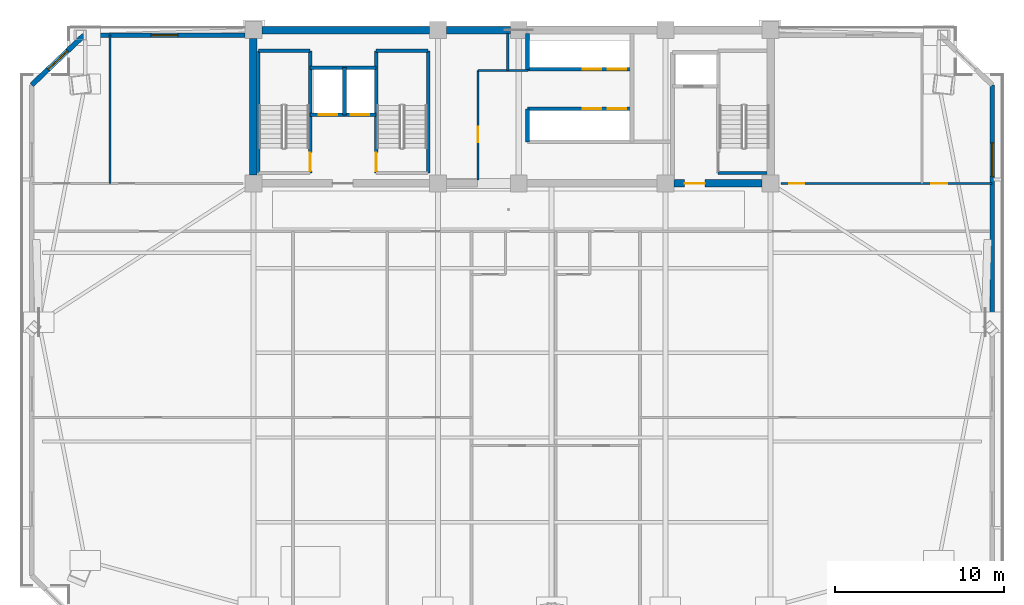
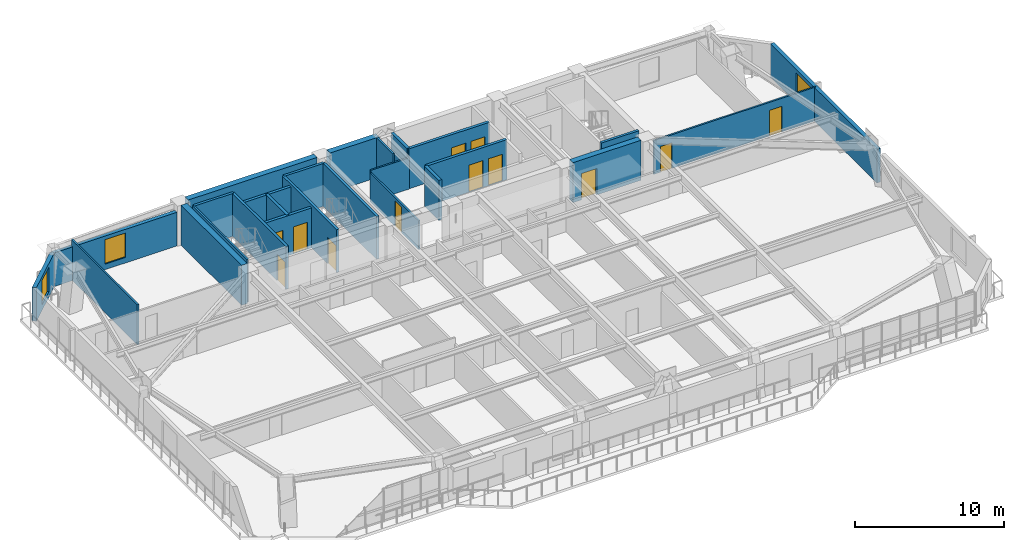
# One storey, part 9 of 16: 26 walls, 12 doors, 3 windows, 15 openings.
"""IFC4 building model written with IfcOpenShell, lengths in metres."""

from ifc_helpers import new_model, si_unit, direction, frame, frame_2d, origin, place, context, subcontext, project, spatial, rectangle, extrude, source, transform, mapped, material, layer, layer_set, type_object, element, fill, save


model = new_model("IFC4")

# Units and contexts
model_context = context("Model", 3, precision=1e-05, world=origin(), true_north=direction((0.0, 1.0)))
body_context = subcontext(model_context, "Body", "Model", "MODEL_VIEW")
ifc_project = project(units=[si_unit("LENGTHUNIT", "METRE"), si_unit("AREAUNIT", "SQUARE_METRE"), si_unit("VOLUMEUNIT", "CUBIC_METRE"), si_unit("PLANEANGLEUNIT", "RADIAN"), si_unit("MASSUNIT", "GRAM", prefix="KILO")], contexts=[model_context])

# Site, building, storey
site_placement = place(None, origin())
site = spatial("IfcSite", under=ifc_project, at=site_placement, CompositionType="ELEMENT")
building_placement = place(site_placement, origin())
building = spatial("IfcBuilding", under=site, at=building_placement, Name="Giltprow Tower", CompositionType="ELEMENT")
storey_placement = place(building_placement, frame((0.0, 0.0, 209.699951171875)))
storey = spatial("IfcBuildingStorey", under=building, at=storey_placement, Name="L53", CompositionType="ELEMENT", Elevation=209.699951171875)

# Wall, opening, window
ifc_material_1 = material(Name="Precast concrete C40", Category="concrete")
ifc_layer_1 = layer(ifc_material_1, 0.300048828125, Name="Precast concrete C40")
ifc_layer_set_1 = layer_set([ifc_layer_1], Name="Precast concrete C40")
wall_type_1 = type_object("IfcWallType", Name="EW-NOTCH-CHAMFER-300", PredefinedType="SOLIDWALL", material=ifc_layer_set_1)
wall_1_placement = place(storey_placement, frame((9.802978515625, 46.25, 0.0), z_axis=(0.0, 0.0, 1.0), x_axis=(-0.724432277522, -0.689345976476, 0.0)))
wall_1 = element("IfcWall", 1, at=wall_1_placement, inside=storey, type_object=wall_type_1, Name="L53 Corner Notch Wall NW", PredefinedType="SOLIDWALL", context=body_context, shape_type="SweptSolid", body=[
    extrude(rectangle(XDim=4.279296875, YDim=0.300048828125, at=frame_2d((2.1396484375, 0.0))), origin(), (0.0, 0.0, 1.0), 2.75),
])
opening_1_placement = place(wall_1_placement, frame((1.340087890625, 0.0, 0.449951171875)))
opening_1 = element("IfcOpeningElement", 2, at=opening_1_placement, cuts=wall_1, Name="Opening WN17", PredefinedType="OPENING", context=body_context, shape_type="SweptSolid", body=[
    extrude(rectangle(XDim=1.60009765625, YDim=2.0, at=frame_2d((0.800048828125, 1.0))), frame((0.0, 0.159912109375, 0.0), z_axis=(0.0, -1.0, 0.0), x_axis=(1.0, 0.0, 0.0)), (0.0, 0.0, 1.0), 0.320068359375),
])
ifc_material_2 = material(Name="Insulated glass", Category="glass")
window_type_1 = type_object("IfcWindowType", Name="WN-COR-1600x2000", PartitioningType="SINGLE_PANEL", PredefinedType="WINDOW", material=ifc_material_2)
shared_shape_1 = source(origin(), body_context, "Body", "SweptSolid", [
    extrude(rectangle(XDim=1.60009765625, YDim=2.0, at=frame_2d((0.800048828125, 1.0))), frame((0.0, 0.030029296875, 0.0), z_axis=(0.0, -1.0, 0.0), x_axis=(1.0, 0.0, 0.0)), (0.0, 0.0, 1.0), 0.06005859375),
])
window_1_placement = place(opening_1_placement, origin())
window_1 = element("IfcWindow", 3, at=window_1_placement, inside=storey, type_object=window_type_1, Name="L53 Corner Notch Window NW", OverallHeight=2.0, OverallWidth=1.60009765625, PartitioningType="SINGLE_PANEL", PredefinedType="WINDOW", context=body_context, shape_type="MappedRepresentation", body=[
    mapped(shared_shape_1, transform((0.0, 0.0, 0.0), x_axis=(1.0, 0.0, 0.0), y_axis=(0.0, 1.0, 0.0), z_axis=(0.0, 0.0, 1.0), scale=1.0)),
])
fill(opening_1, window_1)

ifc_layer_2 = layer(ifc_material_1, 0.280029296875, Name="Precast concrete C40")
ifc_layer_set_2 = layer_set([ifc_layer_2], Name="Precast concrete C40")
wall_type_2 = type_object("IfcWallType", Name="EW-TOW-BRONZE-280", PredefinedType="SOLIDWALL", material=ifc_layer_set_2)
wall_2_placement = place(storey_placement, frame((63.697998046875, 29.04296875, 0.0), z_axis=(0.0, 0.0, 1.0), x_axis=(0.0, 1.0, 0.0)))
wall_2 = element("IfcWall", 4, at=wall_2_placement, inside=storey, type_object=wall_type_2, Name="L53 E Wing Masonry Wall 2", PredefinedType="SOLIDWALL", context=body_context, shape_type="SweptSolid", body=[
    extrude(rectangle(XDim=14.257080078125, YDim=0.280029296875, at=frame_2d((7.12841796875, 0.0))), origin(), (0.0, 0.0, 1.0), 2.75),
])
opening_2_placement = place(wall_2_placement, frame((8.81201171875, 0.0, 0.449951171875)))
opening_2 = element("IfcOpeningElement", 5, at=opening_2_placement, cuts=wall_2, Name="Opening WN21", PredefinedType="OPENING", context=body_context, shape_type="SweptSolid", body=[
    extrude(rectangle(XDim=2.0, YDim=2.0, at=frame_2d((1.0, 1.0))), frame((0.0, 0.14990234375, 0.0), z_axis=(0.0, -1.0, 0.0), x_axis=(1.0, 0.0, 0.0)), (0.0, 0.0, 1.0), 0.300048828125),
])
window_type_2 = type_object("IfcWindowType", Name="WN-HTL-2000x2000", PartitioningType="DOUBLE_PANEL_VERTICAL", PredefinedType="WINDOW", material=ifc_material_2)
shared_shape_2 = source(origin(), body_context, "Body", "SweptSolid", [
    extrude(rectangle(XDim=2.0, YDim=2.0, at=frame_2d((1.0, 1.0))), frame((0.0, 0.030029296875, 0.0), z_axis=(0.0, -1.0, 0.0), x_axis=(1.0, 0.0, 0.0)), (0.0, 0.0, 1.0), 0.06005859375),
])
window_2_placement = place(opening_2_placement, origin())
window_2 = element("IfcWindow", 6, at=window_2_placement, inside=storey, type_object=window_type_2, Name="L53 E Wing Window 2-1", OverallHeight=2.0, OverallWidth=2.0, PartitioningType="SINGLE_PANEL", PredefinedType="WINDOW", context=body_context, shape_type="MappedRepresentation", body=[
    mapped(shared_shape_2, transform((0.0, 0.0, 0.0), x_axis=(1.0, 0.0, 0.0), y_axis=(0.0, 1.0, 0.0), z_axis=(0.0, 0.0, 1.0), scale=1.0)),
])
fill(opening_2, window_2)

wall_3_placement = place(storey_placement, frame((9.802978515625, 46.25, 0.0), z_axis=(0.0, 0.0, 1.0), x_axis=(1.0, 0.0, 0.0)))
wall_3 = element("IfcWall", 7, at=wall_3_placement, inside=storey, type_object=wall_type_2, Name="L53 North-West Wing Wall", PredefinedType="SOLIDWALL", context=body_context, shape_type="SweptSolid", body=[
    extrude(rectangle(XDim=9.547119140625, YDim=0.280029296875, at=frame_2d((4.7734375, 0.0))), origin(), (0.0, 0.0, 1.0), 2.75),
])
opening_3_placement = place(wall_3_placement, frame((3.97412109375, 0.0, 0.449951171875)))
opening_3 = element("IfcOpeningElement", 8, at=opening_3_placement, cuts=wall_3, Name="Opening WN17", PredefinedType="OPENING", context=body_context, shape_type="SweptSolid", body=[
    extrude(rectangle(XDim=1.60009765625, YDim=2.0, at=frame_2d((0.800048828125, 1.0))), frame((0.0, 0.14990234375, 0.0), z_axis=(0.0, -1.0, 0.0), x_axis=(1.0, 0.0, 0.0)), (0.0, 0.0, 1.0), 0.300048828125),
])
window_3_placement = place(opening_3_placement, origin())
window_3 = element("IfcWindow", 9, at=window_3_placement, inside=storey, type_object=window_type_1, Name="L53 North-West Window", OverallHeight=2.0, OverallWidth=1.60009765625, PartitioningType="SINGLE_PANEL", PredefinedType="WINDOW", context=body_context, shape_type="MappedRepresentation", body=[
    mapped(shared_shape_1, transform((0.0, 0.0, 0.0), x_axis=(1.0, 0.0, 0.0), y_axis=(0.0, 1.0, 0.0), z_axis=(0.0, 0.0, 1.0), scale=1.0)),
])
fill(opening_3, window_3)

# Wall, openings, doors
ifc_material_3 = material(Name="Concrete C40", Category="concrete")
ifc_layer_3 = layer(ifc_material_3, 0.219970703125, Name="Concrete C40")
ifc_layer_set_3 = layer_set([ifc_layer_3], Name="Concrete C40")
wall_type_3 = type_object("IfcWallType", Name="IW-SHAFT-220", PredefinedType="SOLIDWALL", material=ifc_layer_set_3)
wall_4_placement = place(storey_placement, frame((23.219970703125, 41.52001953125, 0.0), z_axis=(0.0, 0.0, 1.0), x_axis=(1.0, 0.0, 0.0)))
wall_4 = element("IfcWall", 10, at=wall_4_placement, inside=storey, type_object=wall_type_3, Name="L53 FFL1 and Service Lift Front Wall", PredefinedType="SOLIDWALL", context=body_context, shape_type="SweptSolid", body=[
    extrude(rectangle(XDim=3.919921875, YDim=0.219970703125, at=frame_2d((1.9599609375, 0.0))), origin(), (0.0, 0.0, 1.0), 3.27001953125),
])
opening_4_placement = place(wall_4_placement, frame((0.5, 0.0, 0.0)))
opening_4 = element("IfcOpeningElement", 11, at=opening_4_placement, cuts=wall_4, Name="Opening LD-11", PredefinedType="OPENING", context=body_context, shape_type="SweptSolid", body=[
    extrude(rectangle(XDim=1.10009765625, YDim=2.199951171875, at=frame_2d((0.550048828125, 1.10009765625))), frame((0.0, 0.119873046875, 0.0), z_axis=(0.0, -1.0, 0.0), x_axis=(1.0, 0.0, 0.0)), (0.0, 0.0, 1.0), 0.239990234375),
])
opening_5_placement = place(wall_4_placement, frame((2.39990234375, 0.0, 0.0)))
opening_5 = element("IfcOpeningElement", 12, at=opening_5_placement, cuts=wall_4, Name="Opening LD-11", PredefinedType="OPENING", context=body_context, shape_type="SweptSolid", body=[
    extrude(rectangle(XDim=1.10009765625, YDim=2.199951171875, at=frame_2d((0.550048828125, 1.10009765625))), frame((0.0, 0.119873046875, 0.0), z_axis=(0.0, -1.0, 0.0), x_axis=(1.0, 0.0, 0.0)), (0.0, 0.0, 1.0), 0.239990234375),
])
ifc_material_4 = material(Name="Stainless steel", Category="steel")
door_type_1 = type_object("IfcDoorType", Name="DR-LIFT-LD1100", OperationType="SLIDING_TO_LEFT", PredefinedType="DOOR", material=ifc_material_4)
shared_shape_3 = source(origin(), body_context, "Body", "SweptSolid", [
    extrude(rectangle(XDim=1.10009765625, YDim=2.199951171875, at=frame_2d((0.550048828125, 1.10009765625))), frame((0.0, 0.02490234375, 0.0), z_axis=(0.0, -1.0, 0.0), x_axis=(1.0, 0.0, 0.0)), (0.0, 0.0, 1.0), 0.050048828125),
])
door_1_placement = place(opening_4_placement, origin())
door_1 = element("IfcDoor", 13, at=door_1_placement, inside=storey, type_object=door_type_1, Name="L53 FFL1 Landing Door", OperationType="SLIDING_TO_LEFT", OverallHeight=2.199951171875, OverallWidth=1.10009765625, PredefinedType="DOOR", context=body_context, shape_type="MappedRepresentation", body=[
    mapped(shared_shape_3, transform((0.0, 0.0, 0.0), x_axis=(1.0, 0.0, 0.0), y_axis=(0.0, 1.0, 0.0), z_axis=(0.0, 0.0, 1.0), scale=1.0)),
])
fill(opening_4, door_1)
door_2_placement = place(opening_5_placement, origin())
door_2 = element("IfcDoor", 14, at=door_2_placement, inside=storey, type_object=door_type_1, Name="L53 SVL1 Landing Door", OperationType="SLIDING_TO_LEFT", OverallHeight=2.199951171875, OverallWidth=1.10009765625, PredefinedType="DOOR", context=body_context, shape_type="MappedRepresentation", body=[
    mapped(shared_shape_3, transform((0.0, 0.0, 0.0), x_axis=(1.0, 0.0, 0.0), y_axis=(0.0, 1.0, 0.0), z_axis=(0.0, 0.0, 1.0), scale=1.0)),
])
fill(opening_5, door_2)

# Walls
wall_5_placement = place(storey_placement, frame((25.260009765625, 41.52001953125, 0.0), z_axis=(0.0, 0.0, 1.0), x_axis=(0.0, 1.0, 0.0)))
element("IfcWall", 15, at=wall_5_placement, inside=storey, type_object=wall_type_3, Name="L53 FFL1-SVL1 Shaft Divider", PredefinedType="SOLIDWALL", context=body_context, shape_type="SweptSolid", body=[
    extrude(rectangle(XDim=2.800048828125, YDim=0.219970703125, at=frame_2d((1.39990234375, 0.0))), origin(), (0.0, 0.0, 1.0), 3.27001953125),
])
wall_6_placement = place(storey_placement, frame((23.219970703125, 44.320068359375, 0.0), z_axis=(0.0, 0.0, 1.0), x_axis=(1.0, 0.0, 0.0)))
element("IfcWall", 16, at=wall_6_placement, inside=storey, type_object=wall_type_3, Name="L53 FFL1-SVL1 Back Shaft Wall", PredefinedType="SOLIDWALL", context=body_context, shape_type="SweptSolid", body=[
    extrude(rectangle(XDim=3.919921875, YDim=0.219970703125, at=frame_2d((1.9599609375, 0.0))), origin(), (0.0, 0.0, 1.0), 3.27001953125),
])

# Wall, openings, doors
wall_7_placement = place(storey_placement, frame((36.1201171875, 44.219970703125, 0.0), z_axis=(0.0, 0.0, 1.0), x_axis=(1.0, 0.0, 0.0)))
wall_7 = element("IfcWall", 17, at=wall_7_placement, inside=storey, type_object=wall_type_3, Name="L53 Mid-Rise Lift Shaft Front Wall N", PredefinedType="SOLIDWALL", context=body_context, shape_type="SweptSolid", body=[
    extrude(rectangle(XDim=6.199951171875, YDim=0.219970703125, at=frame_2d((3.10009765625, 0.0))), origin(), (0.0, 0.0, 1.0), 3.27001953125),
])
opening_6_placement = place(wall_7_placement, frame((3.280029296875, 0.0, 0.0)))
opening_6 = element("IfcOpeningElement", 18, at=opening_6_placement, cuts=wall_7, Name="Opening LD-11", PredefinedType="OPENING", context=body_context, shape_type="SweptSolid", body=[
    extrude(rectangle(XDim=1.10009765625, YDim=2.199951171875, at=frame_2d((0.550048828125, 1.10009765625))), frame((0.0, 0.119873046875, 0.0), z_axis=(0.0, -1.0, 0.0), x_axis=(1.0, 0.0, 0.0)), (0.0, 0.0, 1.0), 0.239990234375),
])
opening_7_placement = place(wall_7_placement, frame((4.77001953125, 0.0, 0.0)))
opening_7 = element("IfcOpeningElement", 19, at=opening_7_placement, cuts=wall_7, Name="Opening LD-11", PredefinedType="OPENING", context=body_context, shape_type="SweptSolid", body=[
    extrude(rectangle(XDim=1.10009765625, YDim=2.199951171875, at=frame_2d((0.550048828125, 1.10009765625))), frame((0.0, 0.119873046875, 0.0), z_axis=(0.0, -1.0, 0.0), x_axis=(1.0, 0.0, 0.0)), (0.0, 0.0, 1.0), 0.239990234375),
])
door_3_placement = place(opening_6_placement, origin())
door_3 = element("IfcDoor", 20, at=door_3_placement, inside=storey, type_object=door_type_1, Name="L53 PL-M1 Landing Door", OperationType="SLIDING_TO_LEFT", OverallHeight=2.199951171875, OverallWidth=1.10009765625, PredefinedType="DOOR", context=body_context, shape_type="MappedRepresentation", body=[
    mapped(shared_shape_3, transform((0.0, 0.0, 0.0), x_axis=(1.0, 0.0, 0.0), y_axis=(0.0, 1.0, 0.0), z_axis=(0.0, 0.0, 1.0), scale=1.0)),
])
fill(opening_6, door_3)
door_4_placement = place(opening_7_placement, origin())
door_4 = element("IfcDoor", 21, at=door_4_placement, inside=storey, type_object=door_type_1, Name="L53 PL-M2 Landing Door", OperationType="SLIDING_TO_LEFT", OverallHeight=2.199951171875, OverallWidth=1.10009765625, PredefinedType="DOOR", context=body_context, shape_type="MappedRepresentation", body=[
    mapped(shared_shape_3, transform((0.0, 0.0, 0.0), x_axis=(1.0, 0.0, 0.0), y_axis=(0.0, 1.0, 0.0), z_axis=(0.0, 0.0, 1.0), scale=1.0)),
])
fill(opening_7, door_4)

wall_8_placement = place(storey_placement, frame((36.1201171875, 41.8798828125, 0.0), z_axis=(0.0, 0.0, 1.0), x_axis=(1.0, 0.0, 0.0)))
wall_8 = element("IfcWall", 22, at=wall_8_placement, inside=storey, type_object=wall_type_3, Name="L53 Mid-Rise Lift Shaft Front Wall S", PredefinedType="SOLIDWALL", context=body_context, shape_type="SweptSolid", body=[
    extrude(rectangle(XDim=6.199951171875, YDim=0.219970703125, at=frame_2d((3.10009765625, 0.0))), origin(), (0.0, 0.0, 1.0), 3.27001953125),
])
opening_8_placement = place(wall_8_placement, frame((3.280029296875, 0.0, 0.0)))
opening_8 = element("IfcOpeningElement", 23, at=opening_8_placement, cuts=wall_8, Name="Opening LD-11", PredefinedType="OPENING", context=body_context, shape_type="SweptSolid", body=[
    extrude(rectangle(XDim=1.10009765625, YDim=2.199951171875, at=frame_2d((0.550048828125, 1.10009765625))), frame((0.0, 0.119873046875, 0.0), z_axis=(0.0, -1.0, 0.0), x_axis=(1.0, 0.0, 0.0)), (0.0, 0.0, 1.0), 0.239990234375),
])
opening_9_placement = place(wall_8_placement, frame((4.77001953125, 0.0, 0.0)))
opening_9 = element("IfcOpeningElement", 24, at=opening_9_placement, cuts=wall_8, Name="Opening LD-11", PredefinedType="OPENING", context=body_context, shape_type="SweptSolid", body=[
    extrude(rectangle(XDim=1.10009765625, YDim=2.199951171875, at=frame_2d((0.550048828125, 1.10009765625))), frame((0.0, 0.119873046875, 0.0), z_axis=(0.0, -1.0, 0.0), x_axis=(1.0, 0.0, 0.0)), (0.0, 0.0, 1.0), 0.239990234375),
])
door_5_placement = place(opening_8_placement, origin())
door_5 = element("IfcDoor", 25, at=door_5_placement, inside=storey, type_object=door_type_1, Name="L53 PL-M3 Landing Door", OperationType="SLIDING_TO_LEFT", OverallHeight=2.199951171875, OverallWidth=1.10009765625, PredefinedType="DOOR", context=body_context, shape_type="MappedRepresentation", body=[
    mapped(shared_shape_3, transform((0.0, 0.0, 0.0), x_axis=(1.0, 0.0, 0.0), y_axis=(0.0, 1.0, 0.0), z_axis=(0.0, 0.0, 1.0), scale=1.0)),
])
fill(opening_8, door_5)
door_6_placement = place(opening_9_placement, origin())
door_6 = element("IfcDoor", 26, at=door_6_placement, inside=storey, type_object=door_type_1, Name="L53 PL-M4 Landing Door", OperationType="SLIDING_TO_LEFT", OverallHeight=2.199951171875, OverallWidth=1.10009765625, PredefinedType="DOOR", context=body_context, shape_type="MappedRepresentation", body=[
    mapped(shared_shape_3, transform((0.0, 0.0, 0.0), x_axis=(1.0, 0.0, 0.0), y_axis=(0.0, 1.0, 0.0), z_axis=(0.0, 0.0, 1.0), scale=1.0)),
])
fill(opening_9, door_6)

# Walls
wall_9_placement = place(storey_placement, frame((36.1201171875, 39.919921875, 0.0), z_axis=(0.0, 0.0, 1.0), x_axis=(0.0, 1.0, 0.0)))
element("IfcWall", 27, at=wall_9_placement, inside=storey, type_object=wall_type_3, Name="L53 Mid-Rise South Lift West Closure", PredefinedType="SOLIDWALL", context=body_context, shape_type="SweptSolid", body=[
    extrude(rectangle(XDim=1.9599609375, YDim=0.219970703125, at=frame_2d((0.97998046875, 0.0))), origin(), (0.0, 0.0, 1.0), 3.27001953125),
])
wall_10_placement = place(storey_placement, frame((36.1201171875, 44.219970703125, 0.0), z_axis=(0.0, 0.0, 1.0), x_axis=(0.0, 1.0, 0.0)))
element("IfcWall", 28, at=wall_10_placement, inside=storey, type_object=wall_type_3, Name="L53 Mid-Rise North Lift West Closure", PredefinedType="SOLIDWALL", context=body_context, shape_type="SweptSolid", body=[
    extrude(rectangle(XDim=2.125, YDim=0.219970703125, at=frame_2d((1.0625, 0.0))), origin(), (0.0, 0.0, 1.0), 3.27001953125),
])
ifc_material_5 = material(Name="Concrete C45", Category="concrete")
ifc_layer_4 = layer(ifc_material_5, 0.139892578125, Name="Concrete C45")
ifc_layer_set_4 = layer_set([ifc_layer_4], Name="Concrete C45")
wall_type_4 = type_object("IfcWallType", Name="IW-STAIR-140", PredefinedType="SOLIDWALL", material=ifc_layer_set_4)
wall_11_placement = place(storey_placement, frame((20.169921875, 38.070068359375, 0.0), z_axis=(0.0, 0.0, 1.0), x_axis=(0.0, 1.0, 0.0)))
element("IfcWall", 29, at=wall_11_placement, inside=storey, type_object=wall_type_4, Name="L53 Stair ST-1 West Bearing Wall", PredefinedType="SOLIDWALL", context=body_context, shape_type="SweptSolid", body=[
    extrude(rectangle(XDim=7.25, YDim=0.139892578125, at=frame_2d((3.625, 0.0))), origin(), (0.0, 0.0, 1.0), 3.5),
])

# Wall, opening, door
ifc_layer_5 = layer(ifc_material_3, 0.199951171875, Name="Concrete C40")
ifc_layer_set_5 = layer_set([ifc_layer_5], Name="Concrete C40")
wall_type_5 = type_object("IfcWallType", Name="IW-STAIR-200", PredefinedType="SOLIDWALL", material=ifc_layer_set_5)
wall_12_placement = place(storey_placement, frame((23.219970703125, 38.070068359375, 0.0), z_axis=(0.0, 0.0, 1.0), x_axis=(0.0, 1.0, 0.0)))
wall_12 = element("IfcWall", 30, at=wall_12_placement, inside=storey, type_object=wall_type_5, Name="L53 Stair ST-1 East Bearing Wall", PredefinedType="SOLIDWALL", context=body_context, shape_type="SweptSolid", body=[
    extrude(rectangle(XDim=7.25, YDim=0.199951171875, at=frame_2d((3.625, 0.0))), origin(), (0.0, 0.0, 1.0), 3.5),
])
opening_10_placement = place(wall_12_placement, frame((0.110107421875, 0.0, 0.0)))
opening_10 = element("IfcOpeningElement", 31, at=opening_10_placement, cuts=wall_12, Name="Opening ID33", PredefinedType="OPENING", context=body_context, shape_type="SweptSolid", body=[
    extrude(rectangle(XDim=1.10009765625, YDim=2.14990234375, at=frame_2d((0.550048828125, 1.074951171875))), frame((0.0, 0.10986328125, 0.0), z_axis=(0.0, -1.0, 0.0), x_axis=(1.0, 0.0, 0.0)), (0.0, 0.0, 1.0), 0.219970703125),
])
ifc_material_6 = material(Name="Steel fire leaf", Category="steel")
door_type_2 = type_object("IfcDoorType", Name="DR-STAIR-1100", OperationType="SINGLE_SWING_LEFT", PredefinedType="DOOR", material=ifc_material_6)
shared_shape_4 = source(origin(), body_context, "Body", "SweptSolid", [
    extrude(rectangle(XDim=1.10009765625, YDim=2.14990234375, at=frame_2d((0.550048828125, 1.074951171875))), frame((0.0, 0.02490234375, 0.0), z_axis=(0.0, -1.0, 0.0), x_axis=(1.0, 0.0, 0.0)), (0.0, 0.0, 1.0), 0.050048828125),
])
door_7_placement = place(opening_10_placement, origin())
door_7 = element("IfcDoor", 32, at=door_7_placement, inside=storey, type_object=door_type_2, Name="L53 Stair ST-1 Fire Door", OperationType="SINGLE_SWING_LEFT", OverallHeight=2.14990234375, OverallWidth=1.10009765625, PredefinedType="DOOR", context=body_context, shape_type="MappedRepresentation", body=[
    mapped(shared_shape_4, transform((0.0, 0.0, 0.0), x_axis=(1.0, 0.0, 0.0), y_axis=(0.0, 1.0, 0.0), z_axis=(0.0, 0.0, 1.0), scale=1.0)),
])
fill(opening_10, door_7)

# Wall
wall_13_placement = place(storey_placement, frame((20.169921875, 45.320068359375, 0.0), z_axis=(0.0, 0.0, 1.0), x_axis=(1.0, 0.0, 0.0)))
element("IfcWall", 33, at=wall_13_placement, inside=storey, type_object=wall_type_5, Name="L53 Stair ST-1 North Bearing Wall", PredefinedType="SOLIDWALL", context=body_context, shape_type="SweptSolid", body=[
    extrude(rectangle(XDim=3.050048828125, YDim=0.199951171875, at=frame_2d((1.52490234375, 0.0))), origin(), (0.0, 0.0, 1.0), 3.5),
])

# Wall, opening, door
wall_14_placement = place(storey_placement, frame((27.139892578125, 38.070068359375, 0.0), z_axis=(0.0, 0.0, 1.0), x_axis=(0.0, 1.0, 0.0)))
wall_14 = element("IfcWall", 34, at=wall_14_placement, inside=storey, type_object=wall_type_5, Name="L53 Stair ST-2 West Bearing Wall", PredefinedType="SOLIDWALL", context=body_context, shape_type="SweptSolid", body=[
    extrude(rectangle(XDim=7.25, YDim=0.199951171875, at=frame_2d((3.625, 0.0))), origin(), (0.0, 0.0, 1.0), 3.5),
])
opening_11_placement = place(wall_14_placement, frame((0.110107421875, 0.0, 0.0)))
opening_11 = element("IfcOpeningElement", 35, at=opening_11_placement, cuts=wall_14, Name="Opening ID33", PredefinedType="OPENING", context=body_context, shape_type="SweptSolid", body=[
    extrude(rectangle(XDim=1.10009765625, YDim=2.14990234375, at=frame_2d((0.550048828125, 1.074951171875))), frame((0.0, 0.10986328125, 0.0), z_axis=(0.0, -1.0, 0.0), x_axis=(1.0, 0.0, 0.0)), (0.0, 0.0, 1.0), 0.219970703125),
])
door_8_placement = place(opening_11_placement, origin())
door_8 = element("IfcDoor", 36, at=door_8_placement, inside=storey, type_object=door_type_2, Name="L53 Stair ST-2 Fire Door", OperationType="SINGLE_SWING_RIGHT", OverallHeight=2.14990234375, OverallWidth=1.10009765625, PredefinedType="DOOR", context=body_context, shape_type="MappedRepresentation", body=[
    mapped(shared_shape_4, transform((0.0, 0.0, 0.0), x_axis=(1.0, 0.0, 0.0), y_axis=(0.0, 1.0, 0.0), z_axis=(0.0, 0.0, 1.0), scale=1.0)),
])
fill(opening_11, door_8)

# Walls
wall_15_placement = place(storey_placement, frame((30.219970703125, 38.070068359375, 0.0), z_axis=(0.0, 0.0, 1.0), x_axis=(0.0, 1.0, 0.0)))
element("IfcWall", 37, at=wall_15_placement, inside=storey, type_object=wall_type_5, Name="L53 Stair ST-2 East Bearing Wall", PredefinedType="SOLIDWALL", context=body_context, shape_type="SweptSolid", body=[
    extrude(rectangle(XDim=7.25, YDim=0.199951171875, at=frame_2d((3.625, 0.0))), origin(), (0.0, 0.0, 1.0), 3.5),
])
wall_16_placement = place(storey_placement, frame((27.139892578125, 45.320068359375, 0.0), z_axis=(0.0, 0.0, 1.0), x_axis=(1.0, 0.0, 0.0)))
element("IfcWall", 38, at=wall_16_placement, inside=storey, type_object=wall_type_5, Name="L53 Stair ST-2 North Bearing Wall", PredefinedType="SOLIDWALL", context=body_context, shape_type="SweptSolid", body=[
    extrude(rectangle(XDim=3.080078125, YDim=0.199951171875, at=frame_2d((1.5400390625, 0.0))), origin(), (0.0, 0.0, 1.0), 3.5),
])
wall_17_placement = place(storey_placement, frame((47.43994140625, 38.070068359375, 0.0), z_axis=(0.0, 0.0, 1.0), x_axis=(1.0, 0.0, 0.0)))
element("IfcWall", 39, at=wall_17_placement, inside=storey, type_object=wall_type_5, Name="L53 Stair ST-3 South Bearing Wall", PredefinedType="SOLIDWALL", context=body_context, shape_type="SweptSolid", body=[
    extrude(rectangle(XDim=2.905029296875, YDim=0.199951171875, at=frame_2d((1.45263671875, 0.0))), origin(), (0.0, 0.0, 1.0), 3.5),
])

# Wall, opening, door
ifc_material_7 = material(Name="Concrete C30", Category="concrete")
ifc_layer_6 = layer(ifc_material_7, 0.1298828125, Name="Concrete C30")
ifc_layer_set_6 = layer_set([ifc_layer_6], Name="Concrete C30")
wall_type_6 = type_object("IfcWallType", Name="IW-WET-130", PredefinedType="PARTITIONING", material=ifc_layer_set_6)
wall_18_placement = place(storey_placement, frame((33.179931640625, 37.655029296875, 0.0), z_axis=(0.0, 0.0, 1.0), x_axis=(0.0, 1.0, 0.0)))
wall_18 = element("IfcWall", 40, at=wall_18_placement, inside=storey, type_object=wall_type_6, Name="L53 Reclaimed Core Room East Wall", PredefinedType="PARTITIONING", context=body_context, shape_type="SweptSolid", body=[
    extrude(rectangle(XDim=6.494873046875, YDim=0.1298828125, at=frame_2d((3.24755859375, 0.0))), origin(), (0.0, 0.0, 1.0), 2.35498046875),
])
opening_12_placement = place(wall_18_placement, frame((2.2451171875, 0.0, 0.0)))
opening_12 = element("IfcOpeningElement", 41, at=opening_12_placement, cuts=wall_18, Name="Opening ID35", PredefinedType="OPENING", context=body_context, shape_type="SweptSolid", body=[
    extrude(rectangle(XDim=0.89990234375, YDim=2.10009765625, at=frame_2d((0.449951171875, 1.050048828125))), frame((0.0, 0.074951171875, 0.0), z_axis=(0.0, -1.0, 0.0), x_axis=(1.0, 0.0, 0.0)), (0.0, 0.0, 1.0), 0.14990234375),
])
door_type_3 = type_object("IfcDoorType", Name="DR-SHAFT-900", OperationType="SINGLE_SWING_LEFT", PredefinedType="DOOR", material=ifc_material_6)
shared_shape_5 = source(origin(), body_context, "Body", "SweptSolid", [
    extrude(rectangle(XDim=0.89990234375, YDim=2.10009765625, at=frame_2d((0.449951171875, 1.050048828125))), frame((0.0, 0.02490234375, 0.0), z_axis=(0.0, -1.0, 0.0), x_axis=(1.0, 0.0, 0.0)), (0.0, 0.0, 1.0), 0.050048828125),
])
door_9_placement = place(opening_12_placement, origin())
door_9 = element("IfcDoor", 42, at=door_9_placement, inside=storey, type_object=door_type_3, Name="L53 Housekeeping and Linen Room Door", OperationType="SINGLE_SWING_RIGHT", OverallHeight=2.10009765625, OverallWidth=0.89990234375, PredefinedType="DOOR", context=body_context, shape_type="MappedRepresentation", body=[
    mapped(shared_shape_5, transform((0.0, 0.0, 0.0), x_axis=(1.0, 0.0, 0.0), y_axis=(0.0, 1.0, 0.0), z_axis=(0.0, 0.0, 1.0), scale=1.0)),
])
fill(opening_12, door_9)

# Walls
wall_19_placement = place(storey_placement, frame((34.949951171875, 44.14990234375, 0.0), z_axis=(0.0, 0.0, 1.0), x_axis=(0.0, 1.0, 0.0)))
element("IfcWall", 43, at=wall_19_placement, inside=storey, type_object=wall_type_6, Name="L53 Reclaimed North Pocket East Wall", PredefinedType="PARTITIONING", context=body_context, shape_type="SweptSolid", body=[
    extrude(rectangle(XDim=2.195068359375, YDim=0.1298828125, at=frame_2d((1.09765625, 0.0))), origin(), (0.0, 0.0, 1.0), 3.27001953125),
])
wall_20_placement = place(storey_placement, frame((33.179931640625, 44.14990234375, 0.0), z_axis=(0.0, 0.0, 1.0), x_axis=(1.0, 0.0, 0.0)))
element("IfcWall", 44, at=wall_20_placement, inside=storey, type_object=wall_type_6, Name="L53 Reclaimed North Pocket South Wall", PredefinedType="PARTITIONING", context=body_context, shape_type="SweptSolid", body=[
    extrude(rectangle(XDim=2.969970703125, YDim=0.1298828125, at=frame_2d((1.48486328125, 0.0))), origin(), (0.0, 0.0, 1.0), 2.554931640625),
])
wall_21_placement = place(storey_placement, frame((11.341064453125, 37.449951171875, 0.0), z_axis=(0.0, 0.0, 1.0), x_axis=(0.0, 1.0, 0.0)))
element("IfcWall", 45, at=wall_21_placement, inside=storey, type_object=wall_type_6, Name="L53 NW Wing Divider", PredefinedType="PARTITIONING", context=body_context, shape_type="SweptSolid", body=[
    extrude(rectangle(XDim=8.800048828125, YDim=0.1298828125, at=frame_2d((4.39990234375, 0.0))), origin(), (0.0, 0.0, 1.0), 3.27001953125),
])

# Wall, openings, doors
wall_22_placement = place(storey_placement, frame((51.14990234375, 37.449951171875, 0.0), z_axis=(0.0, 0.0, 1.0), x_axis=(1.0, 0.0, 0.0)))
wall_22 = element("IfcWall", 46, at=wall_22_placement, inside=storey, type_object=wall_type_6, Name="L53 NE Wing South Wall", PredefinedType="PARTITIONING", context=body_context, shape_type="SweptSolid", body=[
    extrude(rectangle(XDim=12.548095703125, YDim=0.1298828125, at=frame_2d((6.27392578125, 0.0))), origin(), (0.0, 0.0, 1.0), 2.755126953125),
])
opening_13_placement = place(wall_22_placement, frame((0.5, 0.0, 0.0)))
opening_13 = element("IfcOpeningElement", 47, at=opening_13_placement, cuts=wall_22, Name="Opening ID15", PredefinedType="OPENING", context=body_context, shape_type="SweptSolid", body=[
    extrude(rectangle(XDim=0.89990234375, YDim=2.10009765625, at=frame_2d((0.449951171875, 1.050048828125))), frame((0.0, 0.074951171875, 0.0), z_axis=(0.0, -1.0, 0.0), x_axis=(1.0, 0.0, 0.0)), (0.0, 0.0, 1.0), 0.14990234375),
])
opening_14_placement = place(wall_22_placement, frame((8.931884765625, 0.0, 0.0)))
opening_14 = element("IfcOpeningElement", 48, at=opening_14_placement, cuts=wall_22, Name="Opening ID11", PredefinedType="OPENING", context=body_context, shape_type="SweptSolid", body=[
    extrude(rectangle(XDim=0.949951171875, YDim=2.10009765625, at=frame_2d((0.47509765625, 1.050048828125))), frame((0.0, 0.074951171875, 0.0), z_axis=(0.0, -1.0, 0.0), x_axis=(1.0, 0.0, 0.0)), (0.0, 0.0, 1.0), 0.14990234375),
])
ifc_material_8 = material(Name="Engineered timber", Category="wood")
door_type_4 = type_object("IfcDoorType", Name="DR-WC-900", OperationType="SINGLE_SWING_LEFT", PredefinedType="DOOR", material=ifc_material_8)
door_10_placement = place(opening_13_placement, origin())
door_10 = element("IfcDoor", 49, at=door_10_placement, inside=storey, type_object=door_type_4, Name="L53 East Wing Washroom Door", OperationType="SINGLE_SWING_RIGHT", OverallHeight=2.10009765625, OverallWidth=0.89990234375, PredefinedType="DOOR", context=body_context, shape_type="MappedRepresentation", body=[
    mapped(shared_shape_5, transform((0.0, 0.0, 0.0), x_axis=(1.0, 0.0, 0.0), y_axis=(0.0, 1.0, 0.0), z_axis=(0.0, 0.0, 1.0), scale=1.0)),
])
fill(opening_13, door_10)
door_type_5 = type_object("IfcDoorType", Name="DR-ROOM-950", OperationType="SINGLE_SWING_RIGHT", PredefinedType="DOOR", material=ifc_material_8)
shared_shape_6 = source(origin(), body_context, "Body", "SweptSolid", [
    extrude(rectangle(XDim=0.949951171875, YDim=2.10009765625, at=frame_2d((0.47509765625, 1.050048828125))), frame((0.0, 0.02490234375, 0.0), z_axis=(0.0, -1.0, 0.0), x_axis=(1.0, 0.0, 0.0)), (0.0, 0.0, 1.0), 0.050048828125),
])
door_11_placement = place(opening_14_placement, origin())
door_11 = element("IfcDoor", 50, at=door_11_placement, inside=storey, type_object=door_type_5, Name="L53 Hotel Floor Linen Store Door", OperationType="SINGLE_SWING_RIGHT", OverallHeight=2.10009765625, OverallWidth=0.949951171875, PredefinedType="DOOR", context=body_context, shape_type="MappedRepresentation", body=[
    mapped(shared_shape_6, transform((0.0, 0.0, 0.0), x_axis=(1.0, 0.0, 0.0), y_axis=(0.0, 1.0, 0.0), z_axis=(0.0, 0.0, 1.0), scale=1.0)),
])
fill(opening_14, door_11)

# Walls
ifc_material_9 = material(Name="Concrete C50", Category="concrete")
ifc_layer_7 = layer(ifc_material_9, 0.449951171875, Name="Concrete C50")
ifc_layer_set_7 = layer_set([ifc_layer_7], Name="Concrete C50")
wall_type_7 = type_object("IfcWallType", Name="SW-EXT-450-C50", PredefinedType="SHEAR", material=ifc_layer_set_7)
wall_23_placement = place(storey_placement, frame((20.35009765625, 46.550048828125, 0.0), z_axis=(0.0, 0.0, 1.0), x_axis=(1.0, 0.0, 0.0)))
element("IfcWall", 51, at=wall_23_placement, inside=storey, type_object=wall_type_7, Name="L53 North Rear Core Shear Wall 1", PredefinedType="SHEAR", context=body_context, shape_type="SweptSolid", body=[
    extrude(rectangle(XDim=9.949951171875, YDim=0.449951171875, at=frame_2d((4.97509765625, 0.0))), origin(), (0.0, 0.0, 1.0), 3.27001953125),
])
wall_24_placement = place(storey_placement, frame((31.300048828125, 46.550048828125, 0.0), z_axis=(0.0, 0.0, 1.0), x_axis=(1.0, 0.0, 0.0)))
element("IfcWall", 52, at=wall_24_placement, inside=storey, type_object=wall_type_7, Name="L53 North Rear Core Shear Wall 2", PredefinedType="SHEAR", context=body_context, shape_type="SweptSolid", body=[
    extrude(rectangle(XDim=3.800048828125, YDim=0.449951171875, at=frame_2d((1.89990234375, 0.0))), origin(), (0.0, 0.0, 1.0), 3.27001953125),
])

# Wall, opening, door
ifc_layer_8 = layer(ifc_material_9, 0.449951171875, Name="Concrete C50")
ifc_layer_set_8 = layer_set([ifc_layer_8], Name="Concrete C50")
wall_type_8 = type_object("IfcWallType", Name="SW-INT-450-C50", PredefinedType="SHEAR", material=ifc_layer_set_8)
wall_25_placement = place(storey_placement, frame((44.800048828125, 37.449951171875, 0.0), z_axis=(0.0, 0.0, 1.0), x_axis=(1.0, 0.0, 0.0)))
wall_25 = element("IfcWall", 53, at=wall_25_placement, inside=storey, type_object=wall_type_8, Name="L53 South Rear Core Shear Wall East", PredefinedType="SHEAR", context=body_context, shape_type="SweptSolid", body=[
    extrude(rectangle(XDim=5.25, YDim=0.449951171875, at=frame_2d((2.625, 0.0))), origin(), (0.0, 0.0, 1.0), 3.27001953125),
])
opening_15_placement = place(wall_25_placement, frame((0.64990234375, 0.0, 0.0)))
opening_15 = element("IfcOpeningElement", 54, at=opening_15_placement, cuts=wall_25, Name="Opening ID19", PredefinedType="OPENING", context=body_context, shape_type="SweptSolid", body=[
    extrude(rectangle(XDim=1.199951171875, YDim=2.14990234375, at=frame_2d((0.60009765625, 1.074951171875))), frame((0.0, 0.23486328125, 0.0), z_axis=(0.0, -1.0, 0.0), x_axis=(1.0, 0.0, 0.0)), (0.0, 0.0, 1.0), 0.469970703125),
])
door_type_6 = type_object("IfcDoorType", Name="DR-FFLOBBY-1200", OperationType="SINGLE_SWING_RIGHT", PredefinedType="DOOR", material=ifc_material_6)
shared_shape_7 = source(origin(), body_context, "Body", "SweptSolid", [
    extrude(rectangle(XDim=1.199951171875, YDim=2.14990234375, at=frame_2d((0.60009765625, 1.074951171875))), frame((0.0, 0.02490234375, 0.0), z_axis=(0.0, -1.0, 0.0), x_axis=(1.0, 0.0, 0.0)), (0.0, 0.0, 1.0), 0.050048828125),
])
door_12_placement = place(opening_15_placement, origin())
door_12 = element("IfcDoor", 55, at=door_12_placement, inside=storey, type_object=door_type_6, Name="L53 East Firefighting Lobby Entry Door", OperationType="SINGLE_SWING_RIGHT", OverallHeight=2.14990234375, OverallWidth=1.199951171875, PredefinedType="DOOR", context=body_context, shape_type="MappedRepresentation", body=[
    mapped(shared_shape_7, transform((0.0, 0.0, 0.0), x_axis=(1.0, 0.0, 0.0), y_axis=(0.0, 1.0, 0.0), z_axis=(0.0, 0.0, 1.0), scale=1.0)),
])
fill(opening_15, door_12)

# Wall
wall_26_placement = place(storey_placement, frame((19.85009765625, 37.949951171875, 0.0), z_axis=(0.0, 0.0, 1.0), x_axis=(0.0, 1.0, 0.0)))
element("IfcWall", 56, at=wall_26_placement, inside=storey, type_object=wall_type_8, Name="L53 W Rear Core Shear Wall", PredefinedType="SHEAR", context=body_context, shape_type="SweptSolid", body=[
    extrude(rectangle(XDim=8.10009765625, YDim=0.449951171875, at=frame_2d((4.050048828125, 0.0))), origin(), (0.0, 0.0, 1.0), 3.27001953125),
])

save(model, "model.ifc")
